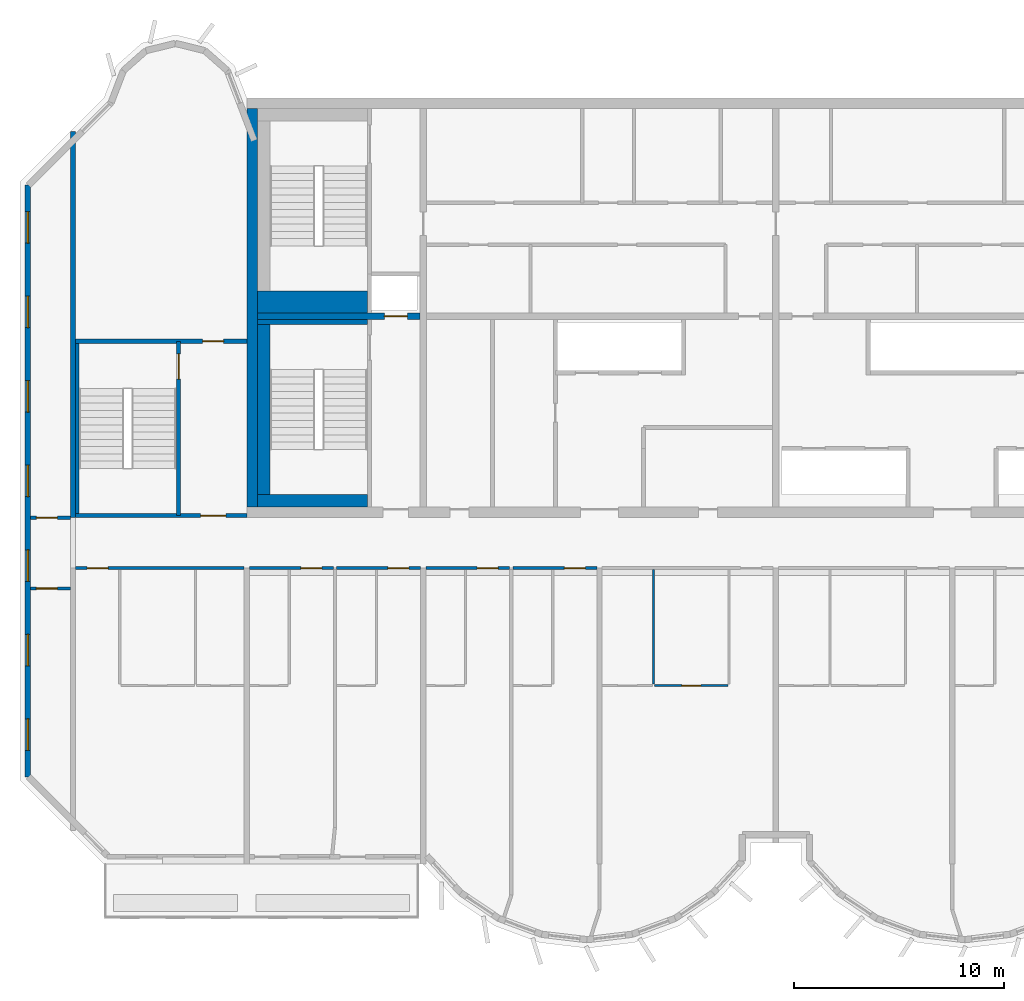
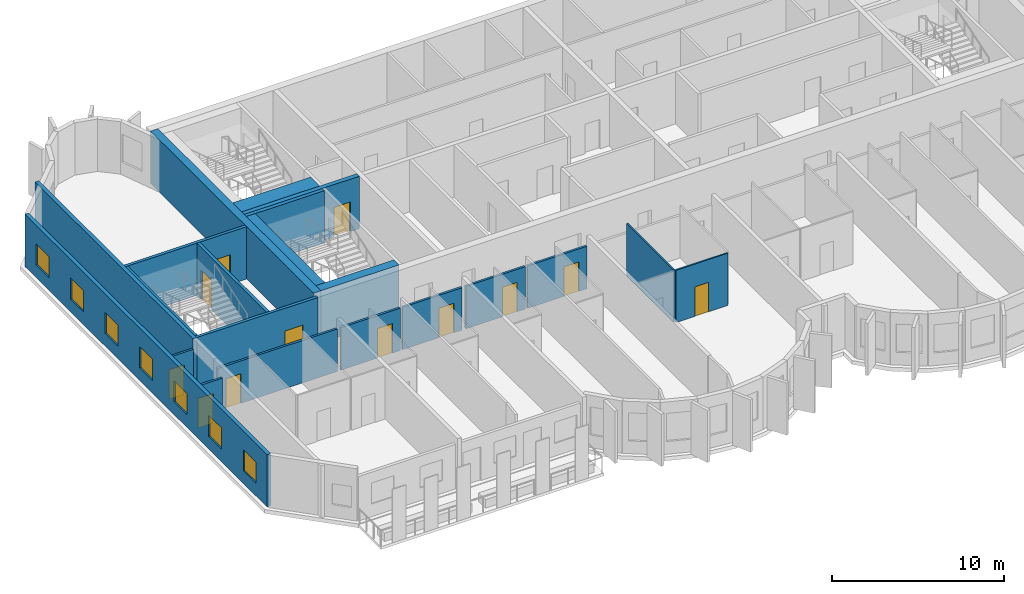
# One storey, part 3 of 12: 21 walls, 12 doors, 7 windows, 19 openings.
"""IFC4 building model written with IfcOpenShell, lengths in metres."""

from ifc_helpers import new_model, si_unit, direction, frame, frame_2d, origin, place, context, subcontext, project, spatial, rectangle, extrude, source, transform, mapped, material, layer, layer_set, type_object, element, fill, save


model = new_model("IFC4")

# Units and contexts
model_context = context("Model", 3, precision=1e-05, world=origin(), true_north=direction((0.0, 1.0)))
body_context = subcontext(model_context, "Body", "Model", "MODEL_VIEW")
ifc_project = project(units=[si_unit("LENGTHUNIT", "METRE"), si_unit("AREAUNIT", "SQUARE_METRE"), si_unit("VOLUMEUNIT", "CUBIC_METRE"), si_unit("PLANEANGLEUNIT", "RADIAN"), si_unit("MASSUNIT", "GRAM", prefix="KILO")], contexts=[model_context])

# Site, building, storey
site_placement = place(None, origin())
site = spatial("IfcSite", under=ifc_project, at=site_placement, CompositionType="ELEMENT")
building_placement = place(site_placement, origin())
building = spatial("IfcBuilding", under=site, at=building_placement, Name="Vanashikhar Sky Hotel", CompositionType="ELEMENT")
storey_placement = place(building_placement, frame((0.0, 0.0, 293.699951171875)))
storey = spatial("IfcBuildingStorey", under=building, at=storey_placement, Name="L70", CompositionType="ELEMENT", Elevation=293.699951171875)

# Wall
ifc_material_1 = material(Name="Concrete M50", Category="concrete")
ifc_layer_1 = layer(ifc_material_1, 0.5)
ifc_layer_set_1 = layer_set([ifc_layer_1], Name="RC core shell wall 500 Concrete M50")
wall_type_1 = type_object("IfcWallType", Name="RC core shell wall 500 Concrete M50", PredefinedType="SHEAR", material=ifc_layer_set_1)
shared_shape_1 = source(origin(), body_context, "Body", "SweptSolid", [
    extrude(rectangle(XDim=19.0, YDim=0.5, at=frame_2d((9.5, 0.0))), origin(), (0.0, 0.0, 1.0), 3.719970703125),
])
wall_1_placement = place(storey_placement, frame((25.449951171875, 22.5, 0.0), z_axis=(0.0, 0.0, 1.0), x_axis=(0.0, 1.0, 0.0)))
element("IfcWall", 1, at=wall_1_placement, inside=storey, type_object=wall_type_1, Name="KW-L70-KW", PredefinedType="SHEAR", context=body_context, shape_type="MappedRepresentation", body=[
    mapped(shared_shape_1, transform((0.0, 0.0, 0.0), scale=1.0)),
])

# Wall, opening, door
ifc_layer_2 = layer(ifc_material_1, 0.300048828125)
ifc_layer_set_2 = layer_set([ifc_layer_2], Name="RC core inner wall 300 Concrete M50")
wall_type_2 = type_object("IfcWallType", Name="RC core inner wall 300 Concrete M50", PredefinedType="SHEAR", material=ifc_layer_set_2)
shared_shape_2 = source(origin(), body_context, "Body", "SweptSolid", [
    extrude(rectangle(XDim=7.75, YDim=0.300048828125, at=frame_2d((3.875, 0.0))), origin(), (0.0, 0.0, 1.0), 3.719970703125),
])
wall_2_placement = place(storey_placement, frame((25.699951171875, 31.60009765625, 0.0), z_axis=(0.0, 0.0, 1.0), x_axis=(1.0, 0.0, 0.0)))
wall_2 = element("IfcWall", 2, at=wall_2_placement, inside=storey, type_object=wall_type_2, Name="KW-L70-KY1", PredefinedType="SHEAR", context=body_context, shape_type="MappedRepresentation", body=[
    mapped(shared_shape_2, transform((0.0, 0.0, 0.0), scale=1.0)),
])
shared_shape_3 = source(origin(), body_context, "Body", "SweptSolid", [
    extrude(rectangle(XDim=1.10009765625, YDim=2.10009765625, at=frame_2d((0.550048828125, 1.050048828125))), frame((0.0, 0.16015625, 0.0), z_axis=(0.0, -1.0, 0.0), x_axis=(1.0, 0.0, 0.0)), (0.0, 0.0, 1.0), 0.320068359375),
])
opening_1_placement = place(wall_2_placement, frame((6.050048828125, 0.0, 0.0)))
opening_1 = element("IfcOpeningElement", 3, at=opening_1_placement, cuts=wall_2, Name="Opening LD", PredefinedType="OPENING", context=body_context, shape_type="MappedRepresentation", body=[
    mapped(shared_shape_3, transform((0.0, 0.0, 0.0), scale=1.0)),
])
ifc_material_2 = material(Name="Stainless steel", Category="steel")
door_type_1 = type_object("IfcDoorType", Name="Lift landing door 1100", OperationType="NOTDEFINED", PredefinedType="DOOR", material=ifc_material_2)
shared_shape_4 = source(origin(), body_context, "Body", "SweptSolid", [
    extrude(rectangle(XDim=1.10009765625, YDim=2.10009765625, at=frame_2d((0.550048828125, 1.050048828125))), frame((0.0, 0.02490234375, 0.0), z_axis=(0.0, -1.0, 0.0), x_axis=(1.0, 0.0, 0.0)), (0.0, 0.0, 1.0), 0.050048828125),
])
door_1_placement = place(opening_1_placement, origin())
door_1 = element("IfcDoor", 4, at=door_1_placement, inside=storey, type_object=door_type_1, Name="Lift landing door 1100", OperationType="SLIDING_TO_LEFT", OverallHeight=2.10009765625, OverallWidth=1.10009765625, PredefinedType="DOOR", context=body_context, shape_type="MappedRepresentation", body=[
    mapped(shared_shape_4, transform((0.0, 0.0, 0.0), scale=1.0)),
])
fill(opening_1, door_1)

# Wall
ifc_layer_3 = layer(ifc_material_1, 0.25)
ifc_layer_set_3 = layer_set([ifc_layer_3], Name="RC shear wall 250 Concrete M50")
wall_type_3 = type_object("IfcWallType", Name="RC shear wall 250 Concrete M50", PredefinedType="SHEAR", material=ifc_layer_set_3)
shared_shape_5 = source(origin(), body_context, "Body", "SweptSolid", [
    extrude(rectangle(XDim=18.39990234375, YDim=0.25, at=frame_2d((9.199951171875, 0.0))), origin(), (0.0, 0.0, 1.0), 3.719970703125),
])
wall_3_placement = place(storey_placement, frame((16.925048828125, 22.0, 0.0), z_axis=(0.0, 0.0, 1.0), x_axis=(0.0, 1.0, 0.0)))
element("IfcWall", 5, at=wall_3_placement, inside=storey, type_object=wall_type_3, Name="CW-L70-XW03-2", PredefinedType="SHEAR", context=body_context, shape_type="MappedRepresentation", body=[
    mapped(shared_shape_5, transform((0.0, 0.0, 0.0), scale=1.0)),
])

# Wall, openings, windows
ifc_layer_4 = layer(ifc_material_1, 0.25)
ifc_layer_set_4 = layer_set([ifc_layer_4], Name="Rear and end board-marked wall 250")
wall_type_4 = type_object("IfcWallType", Name="Rear and end board-marked wall 250", PredefinedType="SOLIDWALL", material=ifc_layer_set_4)
shared_shape_6 = source(origin(), body_context, "Body", "SweptSolid", [
    extrude(rectangle(XDim=28.189453125, YDim=0.25, at=frame_2d((14.0947265625, 0.0))), origin(), (0.0, 0.0, 1.0), 3.719970703125),
])
wall_4_placement = place(storey_placement, frame((14.77490234375, 37.8447265625, 0.0), z_axis=(0.0, 0.0, 1.0), x_axis=(0.0, -1.0, 0.0)))
wall_4 = element("IfcWall", 6, at=wall_4_placement, inside=storey, type_object=wall_type_4, Name="End board-marked wall", PredefinedType="SOLIDWALL", context=body_context, shape_type="MappedRepresentation", body=[
    mapped(shared_shape_6, transform((0.0, 0.0, 0.0), scale=1.0)),
])
shared_shape_7 = source(origin(), body_context, "Body", "SweptSolid", [
    extrude(rectangle(XDim=1.5, YDim=1.5, at=frame_2d((0.75, 0.75))), frame((0.0, 0.135009765625, 0.0), z_axis=(0.0, -1.0, 0.0), x_axis=(1.0, 0.0, 0.0)), (0.0, 0.0, 1.0), 0.27001953125),
])
opening_2_placement = place(wall_4_placement, frame((1.263427734375, 0.0, 0.89990234375)))
opening_2 = element("IfcOpeningElement", 7, at=opening_2_placement, cuts=wall_4, Name="Opening WN-1", PredefinedType="OPENING", context=body_context, shape_type="MappedRepresentation", body=[
    mapped(shared_shape_7, transform((0.0, 0.0, 0.0), scale=1.0)),
])
opening_3_placement = place(wall_4_placement, frame((5.29052734375, 0.0, 0.89990234375)))
opening_3 = element("IfcOpeningElement", 8, at=opening_3_placement, cuts=wall_4, Name="Opening WN-1", PredefinedType="OPENING", context=body_context, shape_type="MappedRepresentation", body=[
    mapped(shared_shape_7, transform((0.0, 0.0, 0.0), scale=1.0)),
])
opening_4_placement = place(wall_4_placement, frame((9.317626953125, 0.0, 0.89990234375)))
opening_4 = element("IfcOpeningElement", 9, at=opening_4_placement, cuts=wall_4, Name="Opening WN-1", PredefinedType="OPENING", context=body_context, shape_type="MappedRepresentation", body=[
    mapped(shared_shape_7, transform((0.0, 0.0, 0.0), scale=1.0)),
])
opening_5_placement = place(wall_4_placement, frame((13.3447265625, 0.0, 0.89990234375)))
opening_5 = element("IfcOpeningElement", 10, at=opening_5_placement, cuts=wall_4, Name="Opening WN-1", PredefinedType="OPENING", context=body_context, shape_type="MappedRepresentation", body=[
    mapped(shared_shape_7, transform((0.0, 0.0, 0.0), scale=1.0)),
])
opening_6_placement = place(wall_4_placement, frame((17.371826171875, 0.0, 0.89990234375)))
opening_6 = element("IfcOpeningElement", 11, at=opening_6_placement, cuts=wall_4, Name="Opening WN-1", PredefinedType="OPENING", context=body_context, shape_type="MappedRepresentation", body=[
    mapped(shared_shape_7, transform((0.0, 0.0, 0.0), scale=1.0)),
])
opening_7_placement = place(wall_4_placement, frame((21.398681640625, 0.0, 0.89990234375)))
opening_7 = element("IfcOpeningElement", 12, at=opening_7_placement, cuts=wall_4, Name="Opening WN-1", PredefinedType="OPENING", context=body_context, shape_type="MappedRepresentation", body=[
    mapped(shared_shape_7, transform((0.0, 0.0, 0.0), scale=1.0)),
])
opening_8_placement = place(wall_4_placement, frame((25.42578125, 0.0, 0.89990234375)))
opening_8 = element("IfcOpeningElement", 13, at=opening_8_placement, cuts=wall_4, Name="Opening WN-1", PredefinedType="OPENING", context=body_context, shape_type="MappedRepresentation", body=[
    mapped(shared_shape_7, transform((0.0, 0.0, 0.0), scale=1.0)),
])
ifc_material_3 = material(Name="Glass", Category="glass")
window_type = type_object("IfcWindowType", Name="Window 1500 x 1500", PartitioningType="SINGLE_PANEL", PredefinedType="WINDOW", material=ifc_material_3)
shared_shape_8 = source(origin(), body_context, "Body", "SweptSolid", [
    extrude(rectangle(XDim=1.5, YDim=1.5, at=frame_2d((0.75, 0.75))), frame((0.0, 0.030029296875, 0.0), z_axis=(0.0, -1.0, 0.0), x_axis=(1.0, 0.0, 0.0)), (0.0, 0.0, 1.0), 0.06005859375),
])
window_1_placement = place(opening_2_placement, origin())
window_1 = element("IfcWindow", 14, at=window_1_placement, inside=storey, type_object=window_type, Name="Window WN-1", OverallHeight=1.5, OverallWidth=1.5, PartitioningType="SINGLE_PANEL", PredefinedType="WINDOW", context=body_context, shape_type="MappedRepresentation", body=[
    mapped(shared_shape_8, transform((0.0, 0.0, 0.0), scale=1.0)),
])
fill(opening_2, window_1)
window_2_placement = place(opening_3_placement, origin())
window_2 = element("IfcWindow", 15, at=window_2_placement, inside=storey, type_object=window_type, Name="Window WN-1", OverallHeight=1.5, OverallWidth=1.5, PartitioningType="SINGLE_PANEL", PredefinedType="WINDOW", context=body_context, shape_type="MappedRepresentation", body=[
    mapped(shared_shape_8, transform((0.0, 0.0, 0.0), scale=1.0)),
])
fill(opening_3, window_2)
window_3_placement = place(opening_4_placement, origin())
window_3 = element("IfcWindow", 16, at=window_3_placement, inside=storey, type_object=window_type, Name="Window WN-1", OverallHeight=1.5, OverallWidth=1.5, PartitioningType="SINGLE_PANEL", PredefinedType="WINDOW", context=body_context, shape_type="MappedRepresentation", body=[
    mapped(shared_shape_8, transform((0.0, 0.0, 0.0), scale=1.0)),
])
fill(opening_4, window_3)
window_4_placement = place(opening_5_placement, origin())
window_4 = element("IfcWindow", 17, at=window_4_placement, inside=storey, type_object=window_type, Name="Window WN-1", OverallHeight=1.5, OverallWidth=1.5, PartitioningType="SINGLE_PANEL", PredefinedType="WINDOW", context=body_context, shape_type="MappedRepresentation", body=[
    mapped(shared_shape_8, transform((0.0, 0.0, 0.0), scale=1.0)),
])
fill(opening_5, window_4)
window_5_placement = place(opening_6_placement, origin())
window_5 = element("IfcWindow", 18, at=window_5_placement, inside=storey, type_object=window_type, Name="Window WN-1", OverallHeight=1.5, OverallWidth=1.5, PartitioningType="SINGLE_PANEL", PredefinedType="WINDOW", context=body_context, shape_type="MappedRepresentation", body=[
    mapped(shared_shape_8, transform((0.0, 0.0, 0.0), scale=1.0)),
])
fill(opening_6, window_5)
window_6_placement = place(opening_7_placement, origin())
window_6 = element("IfcWindow", 19, at=window_6_placement, inside=storey, type_object=window_type, Name="Window WN-1", OverallHeight=1.5, OverallWidth=1.5, PartitioningType="SINGLE_PANEL", PredefinedType="WINDOW", context=body_context, shape_type="MappedRepresentation", body=[
    mapped(shared_shape_8, transform((0.0, 0.0, 0.0), scale=1.0)),
])
fill(opening_7, window_6)
window_7_placement = place(opening_8_placement, origin())
window_7 = element("IfcWindow", 20, at=window_7_placement, inside=storey, type_object=window_type, Name="Window WN-1", OverallHeight=1.5, OverallWidth=1.5, PartitioningType="SINGLE_PANEL", PredefinedType="WINDOW", context=body_context, shape_type="MappedRepresentation", body=[
    mapped(shared_shape_8, transform((0.0, 0.0, 0.0), scale=1.0)),
])
fill(opening_8, window_7)

# Wall, opening, door
ifc_layer_5 = layer(ifc_material_1, 0.199951171875)
ifc_layer_set_5 = layer_set([ifc_layer_5], Name="Stair wall 200")
wall_type_5 = type_object("IfcWallType", Name="Stair wall 200", PredefinedType="SOLIDWALL", material=ifc_layer_set_5)
shared_shape_9 = source(origin(), body_context, "Body", "SweptSolid", [
    extrude(rectangle(XDim=8.2998046875, YDim=0.199951171875, at=frame_2d((4.14990234375, 0.0))), origin(), (0.0, 0.0, 1.0), 3.719970703125),
])
wall_5_placement = place(storey_placement, frame((21.949951171875, 22.10009765625, 0.0), z_axis=(0.0, 0.0, 1.0), x_axis=(0.0, 1.0, 0.0)))
wall_5 = element("IfcWall", 21, at=wall_5_placement, inside=storey, type_object=wall_type_5, Name="Stair wall 200", PredefinedType="SOLIDWALL", context=body_context, shape_type="MappedRepresentation", body=[
    mapped(shared_shape_9, transform((0.0, 0.0, 0.0), scale=1.0)),
])
shared_shape_10 = source(origin(), body_context, "Body", "SweptSolid", [
    extrude(rectangle(XDim=1.199951171875, YDim=2.10009765625, at=frame_2d((0.60009765625, 1.050048828125))), frame((0.0, 0.10986328125, 0.0), z_axis=(0.0, -1.0, 0.0), x_axis=(1.0, 0.0, 0.0)), (0.0, 0.0, 1.0), 0.219970703125),
])
opening_9_placement = place(wall_5_placement, frame((6.5, 0.0, 0.0)))
opening_9 = element("IfcOpeningElement", 22, at=opening_9_placement, cuts=wall_5, Name="Opening DC-1", PredefinedType="OPENING", context=body_context, shape_type="MappedRepresentation", body=[
    mapped(shared_shape_10, transform((0.0, 0.0, 0.0), scale=1.0)),
])
ifc_material_4 = material(Name="Steel", Category="steel")
door_type_2 = type_object("IfcDoorType", Name="Stair door 1200 FD120", OperationType="NOTDEFINED", PredefinedType="DOOR", material=ifc_material_4)
shared_shape_11 = source(origin(), body_context, "Body", "SweptSolid", [
    extrude(rectangle(XDim=1.199951171875, YDim=2.10009765625, at=frame_2d((0.60009765625, 1.050048828125))), frame((0.0, 0.02490234375, 0.0), z_axis=(0.0, -1.0, 0.0), x_axis=(1.0, 0.0, 0.0)), (0.0, 0.0, 1.0), 0.050048828125),
])
door_2_placement = place(opening_9_placement, origin())
door_2 = element("IfcDoor", 23, at=door_2_placement, inside=storey, type_object=door_type_2, Name="Stair door 1200 FD120", OperationType="SINGLE_SWING_RIGHT", OverallHeight=2.10009765625, OverallWidth=1.199951171875, PredefinedType="DOOR", context=body_context, shape_type="MappedRepresentation", body=[
    mapped(shared_shape_11, transform((0.0, 0.0, 0.0), scale=1.0)),
])
fill(opening_9, door_2)

shared_shape_12 = source(origin(), body_context, "Body", "SweptSolid", [
    extrude(rectangle(XDim=8.14990234375, YDim=0.199951171875, at=frame_2d((4.074951171875, 0.0))), origin(), (0.0, 0.0, 1.0), 3.719970703125),
])
wall_6_placement = place(storey_placement, frame((17.050048828125, 22.10009765625, 0.0), z_axis=(0.0, 0.0, 1.0), x_axis=(1.0, 0.0, 0.0)))
wall_6 = element("IfcWall", 24, at=wall_6_placement, inside=storey, type_object=wall_type_5, Name="Stair wall 200", PredefinedType="SOLIDWALL", context=body_context, shape_type="MappedRepresentation", body=[
    mapped(shared_shape_12, transform((0.0, 0.0, 0.0), scale=1.0)),
])
opening_10_placement = place(wall_6_placement, frame((5.949951171875, 0.0, 0.0)))
opening_10 = element("IfcOpeningElement", 25, at=opening_10_placement, cuts=wall_6, Name="Opening DC-2", PredefinedType="OPENING", context=body_context, shape_type="MappedRepresentation", body=[
    mapped(shared_shape_10, transform((0.0, 0.0, 0.0), scale=1.0)),
])
door_type_3 = type_object("IfcDoorType", Name="Firefighting lobby door 1200 FD120", OperationType="NOTDEFINED", PredefinedType="DOOR", material=ifc_material_4)
door_3_placement = place(opening_10_placement, origin())
door_3 = element("IfcDoor", 26, at=door_3_placement, inside=storey, type_object=door_type_3, Name="Firefighting lobby door 1200 FD120", OperationType="SINGLE_SWING_RIGHT", OverallHeight=2.10009765625, OverallWidth=1.199951171875, PredefinedType="DOOR", context=body_context, shape_type="MappedRepresentation", body=[
    mapped(shared_shape_11, transform((0.0, 0.0, 0.0), scale=1.0)),
])
fill(opening_10, door_3)

wall_7_placement = place(storey_placement, frame((17.050048828125, 30.39990234375, 0.0), z_axis=(0.0, 0.0, 1.0), x_axis=(1.0, 0.0, 0.0)))
wall_7 = element("IfcWall", 27, at=wall_7_placement, inside=storey, type_object=wall_type_5, Name="Stair wall 200", PredefinedType="SOLIDWALL", context=body_context, shape_type="MappedRepresentation", body=[
    mapped(shared_shape_12, transform((0.0, 0.0, 0.0), scale=1.0)),
])
shared_shape_13 = source(origin(), body_context, "Body", "SweptSolid", [
    extrude(rectangle(XDim=1.0, YDim=2.10009765625, at=frame_2d((0.5, 1.050048828125))), frame((0.0, 0.10986328125, 0.0), z_axis=(0.0, -1.0, 0.0), x_axis=(1.0, 0.0, 0.0)), (0.0, 0.0, 1.0), 0.219970703125),
])
opening_11_placement = place(wall_7_placement, frame((6.050048828125, 0.0, 0.0)))
opening_11 = element("IfcOpeningElement", 28, at=opening_11_placement, cuts=wall_7, Name="Opening DC-6", PredefinedType="OPENING", context=body_context, shape_type="MappedRepresentation", body=[
    mapped(shared_shape_13, transform((0.0, 0.0, 0.0), scale=1.0)),
])
door_type_4 = type_object("IfcDoorType", Name="Pocket door 1000 FD60", OperationType="NOTDEFINED", PredefinedType="DOOR", material=ifc_material_4)
shared_shape_14 = source(origin(), body_context, "Body", "SweptSolid", [
    extrude(rectangle(XDim=1.0, YDim=2.10009765625, at=frame_2d((0.5, 1.050048828125))), frame((0.0, 0.02490234375, 0.0), z_axis=(0.0, -1.0, 0.0), x_axis=(1.0, 0.0, 0.0)), (0.0, 0.0, 1.0), 0.050048828125),
])
door_4_placement = place(opening_11_placement, origin())
door_4 = element("IfcDoor", 29, at=door_4_placement, inside=storey, type_object=door_type_4, Name="Pocket door 1000 FD60", OperationType="SINGLE_SWING_RIGHT", OverallHeight=2.10009765625, OverallWidth=1.0, PredefinedType="DOOR", context=body_context, shape_type="MappedRepresentation", body=[
    mapped(shared_shape_14, transform((0.0, 0.0, 0.0), scale=1.0)),
])
fill(opening_11, door_4)

# Walls
ifc_layer_6 = layer(ifc_material_1, 0.60009765625)
ifc_layer_set_6 = layer_set([ifc_layer_6], Name="Stair infill wall 600")
wall_type_6 = type_object("IfcWallType", Name="Stair infill wall 600", PredefinedType="SOLIDWALL", material=ifc_layer_set_6)
shared_shape_15 = source(origin(), body_context, "Body", "SweptSolid", [
    extrude(rectangle(XDim=5.25, YDim=0.60009765625, at=frame_2d((2.625, 0.0))), origin(), (0.0, 0.0, 1.0), 3.719970703125),
])
wall_8_placement = place(storey_placement, frame((25.699951171875, 22.800048828125, 0.0), z_axis=(0.0, 0.0, 1.0), x_axis=(1.0, 0.0, 0.0)))
element("IfcWall", 30, at=wall_8_placement, inside=storey, type_object=wall_type_6, Name="Stair infill wall 600", PredefinedType="SOLIDWALL", context=body_context, shape_type="MappedRepresentation", body=[
    mapped(shared_shape_15, transform((0.0, 0.0, 0.0), scale=1.0)),
])
ifc_layer_7 = layer(ifc_material_1, 0.25)
ifc_layer_set_7 = layer_set([ifc_layer_7], Name="Stair infill wall 250")
wall_type_7 = type_object("IfcWallType", Name="Stair infill wall 250", PredefinedType="SOLIDWALL", material=ifc_layer_set_7)
shared_shape_16 = source(origin(), body_context, "Body", "SweptSolid", [
    extrude(rectangle(XDim=5.25, YDim=0.25, at=frame_2d((2.625, 0.0))), origin(), (0.0, 0.0, 1.0), 3.719970703125),
])
wall_9_placement = place(storey_placement, frame((25.699951171875, 31.324951171875, 0.0), z_axis=(0.0, 0.0, 1.0), x_axis=(1.0, 0.0, 0.0)))
element("IfcWall", 31, at=wall_9_placement, inside=storey, type_object=wall_type_7, Name="Stair infill wall 250", PredefinedType="SOLIDWALL", context=body_context, shape_type="MappedRepresentation", body=[
    mapped(shared_shape_16, transform((0.0, 0.0, 0.0), scale=1.0)),
])
shared_shape_17 = source(origin(), body_context, "Body", "SweptSolid", [
    extrude(rectangle(XDim=8.099853515625, YDim=0.60009765625, at=frame_2d((4.0498046875, 0.0))), origin(), (0.0, 0.0, 1.0), 3.719970703125),
])
wall_10_placement = place(storey_placement, frame((26.0, 23.10009765625, 0.0), z_axis=(0.0, 0.0, 1.0), x_axis=(0.0, 1.0, 0.0)))
element("IfcWall", 32, at=wall_10_placement, inside=storey, type_object=wall_type_6, Name="Stair infill wall 600", PredefinedType="SOLIDWALL", context=body_context, shape_type="MappedRepresentation", body=[
    mapped(shared_shape_17, transform((0.0, 0.0, 0.0), scale=1.0)),
])
ifc_layer_8 = layer(ifc_material_1, 0.14990234375)
ifc_layer_set_8 = layer_set([ifc_layer_8], Name="Stair infill wall 150")
wall_type_8 = type_object("IfcWallType", Name="Stair infill wall 150", PredefinedType="SOLIDWALL", material=ifc_layer_set_8)
shared_shape_18 = source(origin(), body_context, "Body", "SweptSolid", [
    extrude(rectangle(XDim=8.10009765625, YDim=0.14990234375, at=frame_2d((4.050048828125, 0.0))), origin(), (0.0, 0.0, 1.0), 3.719970703125),
])
wall_11_placement = place(storey_placement, frame((17.125, 22.199951171875, 0.0), z_axis=(0.0, 0.0, 1.0), x_axis=(0.0, 1.0, 0.0)))
element("IfcWall", 33, at=wall_11_placement, inside=storey, type_object=wall_type_8, Name="Stair infill wall 150", PredefinedType="SOLIDWALL", context=body_context, shape_type="MappedRepresentation", body=[
    mapped(shared_shape_18, transform((0.0, 0.0, 0.0), scale=1.0)),
])
ifc_layer_9 = layer(ifc_material_1, 1.050048828125)
ifc_layer_set_9 = layer_set([ifc_layer_9], Name="Stair infill wall 1050")
wall_type_9 = type_object("IfcWallType", Name="Stair infill wall 1050", PredefinedType="SOLIDWALL", material=ifc_layer_set_9)
shared_shape_19 = source(origin(), body_context, "Body", "SweptSolid", [
    extrude(rectangle(XDim=5.25, YDim=1.050048828125, at=frame_2d((2.625, 0.0))), origin(), (0.0, 0.0, 1.0), 3.719970703125),
])
wall_12_placement = place(storey_placement, frame((25.699951171875, 32.27490234375, 0.0), z_axis=(0.0, 0.0, 1.0), x_axis=(1.0, 0.0, 0.0)))
element("IfcWall", 34, at=wall_12_placement, inside=storey, type_object=wall_type_9, Name="Stair infill wall 1050", PredefinedType="SOLIDWALL", context=body_context, shape_type="MappedRepresentation", body=[
    mapped(shared_shape_19, transform((0.0, 0.0, 0.0), scale=1.0)),
])

# Wall, opening, door
ifc_material_5 = material(Name="Gypsum plasterboard partition")
ifc_layer_10 = layer(ifc_material_5, 0.10009765625)
ifc_layer_set_10 = layer_set([ifc_layer_10], Name="Wet room partition 100")
wall_type_10 = type_object("IfcWallType", Name="Wet room partition 100", PredefinedType="PARTITIONING", material=ifc_layer_set_10)
shared_shape_20 = source(origin(), body_context, "Body", "SweptSolid", [
    extrude(rectangle(XDim=3.5, YDim=0.10009765625, at=frame_2d((1.75, 0.0))), origin(), (0.0, 0.0, 1.0), 3.719970703125),
])
wall_13_placement = place(storey_placement, frame((44.625, 14.0, 0.0), z_axis=(0.0, 0.0, 1.0), x_axis=(1.0, 0.0, 0.0)))
wall_13 = element("IfcWall", 35, at=wall_13_placement, inside=storey, type_object=wall_type_10, Name="W-L70-PW022", PredefinedType="PARTITIONING", context=body_context, shape_type="MappedRepresentation", body=[
    mapped(shared_shape_20, transform((0.0, 0.0, 0.0), scale=1.0)),
])
shared_shape_21 = source(origin(), body_context, "Body", "SweptSolid", [
    extrude(rectangle(XDim=0.89990234375, YDim=2.10009765625, at=frame_2d((0.449951171875, 1.050048828125))), frame((0.0, 0.06005859375, 0.0), z_axis=(0.0, -1.0, 0.0), x_axis=(1.0, 0.0, 0.0)), (0.0, 0.0, 1.0), 0.1201171875),
])
opening_12_placement = place(wall_13_placement, frame((1.300048828125, 0.0, 0.0)))
opening_12 = element("IfcOpeningElement", 36, at=opening_12_placement, cuts=wall_13, Name="Opening D-02", PredefinedType="OPENING", context=body_context, shape_type="MappedRepresentation", body=[
    mapped(shared_shape_21, transform((0.0, 0.0, 0.0), scale=1.0)),
])
ifc_material_6 = material(Name="Timber door", Category="wood")
door_type_5 = type_object("IfcDoorType", Name="Internal door 900", OperationType="NOTDEFINED", PredefinedType="DOOR", material=ifc_material_6)
shared_shape_22 = source(origin(), body_context, "Body", "SweptSolid", [
    extrude(rectangle(XDim=0.89990234375, YDim=2.10009765625, at=frame_2d((0.449951171875, 1.050048828125))), frame((0.0, 0.02490234375, 0.0), z_axis=(0.0, -1.0, 0.0), x_axis=(1.0, 0.0, 0.0)), (0.0, 0.0, 1.0), 0.050048828125),
])
door_5_placement = place(opening_12_placement, origin())
door_5 = element("IfcDoor", 37, at=door_5_placement, inside=storey, type_object=door_type_5, Name="D-L70-012", OperationType="SINGLE_SWING_RIGHT", OverallHeight=2.10009765625, OverallWidth=0.89990234375, PredefinedType="DOOR", context=body_context, shape_type="MappedRepresentation", body=[
    mapped(shared_shape_22, transform((0.0, 0.0, 0.0), scale=1.0)),
])
fill(opening_12, door_5)

ifc_layer_11 = layer(ifc_material_5, 0.14990234375)
ifc_layer_set_11 = layer_set([ifc_layer_11], Name="Corridor and demising partition 150")
wall_type_11 = type_object("IfcWallType", Name="Corridor and demising partition 150", PredefinedType="PARTITIONING", material=ifc_layer_set_11)
shared_shape_23 = source(origin(), body_context, "Body", "SweptSolid", [
    extrude(rectangle(XDim=8.02490234375, YDim=0.14990234375, at=frame_2d((4.012451171875, 0.0))), origin(), (0.0, 0.0, 1.0), 3.02001953125),
])
wall_14_placement = place(storey_placement, frame((17.050048828125, 19.60009765625, 0.0), z_axis=(0.0, 0.0, 1.0), x_axis=(1.0, 0.0, 0.0)))
wall_14 = element("IfcWall", 38, at=wall_14_placement, inside=storey, type_object=wall_type_11, Name="W-L70-PW005", PredefinedType="PARTITIONING", context=body_context, shape_type="MappedRepresentation", body=[
    mapped(shared_shape_23, transform((0.0, 0.0, 0.0), scale=1.0)),
])
shared_shape_24 = source(origin(), body_context, "Body", "SweptSolid", [
    extrude(rectangle(XDim=1.0, YDim=2.10009765625, at=frame_2d((0.5, 1.050048828125))), frame((0.0, 0.0849609375, 0.0), z_axis=(0.0, -1.0, 0.0), x_axis=(1.0, 0.0, 0.0)), (0.0, 0.0, 1.0), 0.169921875),
])
opening_13_placement = place(wall_14_placement, frame((0.550048828125, 0.0, 0.0)))
opening_13 = element("IfcOpeningElement", 39, at=opening_13_placement, cuts=wall_14, Name="Opening D-01", PredefinedType="OPENING", context=body_context, shape_type="MappedRepresentation", body=[
    mapped(shared_shape_24, transform((0.0, 0.0, 0.0), scale=1.0)),
])
ifc_material_7 = material(Name="Timber fire door", Category="wood")
door_type_6 = type_object("IfcDoorType", Name="Guest entry door 1000 FD30S", OperationType="NOTDEFINED", PredefinedType="DOOR", material=ifc_material_7)
door_6_placement = place(opening_13_placement, origin())
door_6 = element("IfcDoor", 40, at=door_6_placement, inside=storey, type_object=door_type_6, Name="D-L70-003", OperationType="SINGLE_SWING_LEFT", OverallHeight=2.10009765625, OverallWidth=1.0, PredefinedType="DOOR", context=body_context, shape_type="MappedRepresentation", body=[
    mapped(shared_shape_14, transform((0.0, 0.0, 0.0), scale=1.0)),
])
fill(opening_13, door_6)

shared_shape_25 = source(origin(), body_context, "Body", "SweptSolid", [
    extrude(rectangle(XDim=1.900146484375, YDim=0.14990234375, at=frame_2d((0.9501953125, 0.0))), origin(), (0.0, 0.0, 1.0), 3.02001953125),
])
wall_15_placement = place(storey_placement, frame((14.89990234375, 22.0, 0.0), z_axis=(0.0, 0.0, 1.0), x_axis=(1.0, 0.0, 0.0)))
wall_15 = element("IfcWall", 41, at=wall_15_placement, inside=storey, type_object=wall_type_11, Name="W-L70-PW049", PredefinedType="PARTITIONING", context=body_context, shape_type="MappedRepresentation", body=[
    mapped(shared_shape_25, transform((0.0, 0.0, 0.0), scale=1.0)),
])
opening_14_placement = place(wall_15_placement, frame((0.27490234375, 0.0, 0.0)))
opening_14 = element("IfcOpeningElement", 42, at=opening_14_placement, cuts=wall_15, Name="Opening D-01", PredefinedType="OPENING", context=body_context, shape_type="MappedRepresentation", body=[
    mapped(shared_shape_24, transform((0.0, 0.0, 0.0), scale=1.0)),
])
door_7_placement = place(opening_14_placement, origin())
door_7 = element("IfcDoor", 43, at=door_7_placement, inside=storey, type_object=door_type_6, Name="D-L70-028", OperationType="SINGLE_SWING_LEFT", OverallHeight=2.10009765625, OverallWidth=1.0, PredefinedType="DOOR", context=body_context, shape_type="MappedRepresentation", body=[
    mapped(shared_shape_14, transform((0.0, 0.0, 0.0), scale=1.0)),
])
fill(opening_14, door_7)

wall_16_placement = place(storey_placement, frame((14.89990234375, 18.6279296875, 0.0), z_axis=(0.0, 0.0, 1.0), x_axis=(1.0, 0.0, 0.0)))
wall_16 = element("IfcWall", 44, at=wall_16_placement, inside=storey, type_object=wall_type_11, Name="W-L70-PW051", PredefinedType="PARTITIONING", context=body_context, shape_type="MappedRepresentation", body=[
    mapped(shared_shape_25, transform((0.0, 0.0, 0.0), scale=1.0)),
])
opening_15_placement = place(wall_16_placement, frame((0.27490234375, 0.0, 0.0)))
opening_15 = element("IfcOpeningElement", 45, at=opening_15_placement, cuts=wall_16, Name="Opening D-01", PredefinedType="OPENING", context=body_context, shape_type="MappedRepresentation", body=[
    mapped(shared_shape_24, transform((0.0, 0.0, 0.0), scale=1.0)),
])
door_8_placement = place(opening_15_placement, origin())
door_8 = element("IfcDoor", 46, at=door_8_placement, inside=storey, type_object=door_type_6, Name="D-L70-030", OperationType="SINGLE_SWING_LEFT", OverallHeight=2.10009765625, OverallWidth=1.0, PredefinedType="DOOR", context=body_context, shape_type="MappedRepresentation", body=[
    mapped(shared_shape_14, transform((0.0, 0.0, 0.0), scale=1.0)),
])
fill(opening_15, door_8)

# Wall
shared_shape_26 = source(origin(), body_context, "Body", "SweptSolid", [
    extrude(rectangle(XDim=5.449951171875, YDim=0.10009765625, at=frame_2d((2.72509765625, 0.0))), origin(), (0.0, 0.0, 1.0), 3.719970703125),
])
wall_17_placement = place(storey_placement, frame((44.574951171875, 14.074951171875, 0.0), z_axis=(0.0, 0.0, 1.0), x_axis=(0.0, 1.0, 0.0)))
element("IfcWall", 47, at=wall_17_placement, inside=storey, type_object=wall_type_10, Name="W-L70-PW021", PredefinedType="PARTITIONING", context=body_context, shape_type="MappedRepresentation", body=[
    mapped(shared_shape_26, transform((0.0, 0.0, 0.0), scale=1.0)),
])

# Wall, opening, door
shared_shape_27 = source(origin(), body_context, "Body", "SweptSolid", [
    extrude(rectangle(XDim=4.0, YDim=0.14990234375, at=frame_2d((2.0, 0.0))), origin(), (0.0, 0.0, 1.0), 3.02001953125),
])
wall_18_placement = place(storey_placement, frame((25.324951171875, 19.60009765625, 0.0), z_axis=(0.0, 0.0, 1.0), x_axis=(1.0, 0.0, 0.0)))
wall_18 = element("IfcWall", 48, at=wall_18_placement, inside=storey, type_object=wall_type_11, Name="W-L70-PW008", PredefinedType="PARTITIONING", context=body_context, shape_type="MappedRepresentation", body=[
    mapped(shared_shape_27, transform((0.0, 0.0, 0.0), scale=1.0)),
])
opening_16_placement = place(wall_18_placement, frame((2.449951171875, 0.0, 0.0)))
opening_16 = element("IfcOpeningElement", 49, at=opening_16_placement, cuts=wall_18, Name="Opening D-01", PredefinedType="OPENING", context=body_context, shape_type="MappedRepresentation", body=[
    mapped(shared_shape_24, transform((0.0, 0.0, 0.0), scale=1.0)),
])
door_9_placement = place(opening_16_placement, origin())
door_9 = element("IfcDoor", 50, at=door_9_placement, inside=storey, type_object=door_type_6, Name="D-L70-005", OperationType="SINGLE_SWING_RIGHT", OverallHeight=2.10009765625, OverallWidth=1.0, PredefinedType="DOOR", context=body_context, shape_type="MappedRepresentation", body=[
    mapped(shared_shape_14, transform((0.0, 0.0, 0.0), scale=1.0)),
])
fill(opening_16, door_9)

wall_19_placement = place(storey_placement, frame((29.47509765625, 19.60009765625, 0.0), z_axis=(0.0, 0.0, 1.0), x_axis=(1.0, 0.0, 0.0)))
wall_19 = element("IfcWall", 51, at=wall_19_placement, inside=storey, type_object=wall_type_11, Name="W-L70-PW011", PredefinedType="PARTITIONING", context=body_context, shape_type="MappedRepresentation", body=[
    mapped(shared_shape_27, transform((0.0, 0.0, 0.0), scale=1.0)),
])
opening_17_placement = place(wall_19_placement, frame((2.449951171875, 0.0, 0.0)))
opening_17 = element("IfcOpeningElement", 52, at=opening_17_placement, cuts=wall_19, Name="Opening D-01", PredefinedType="OPENING", context=body_context, shape_type="MappedRepresentation", body=[
    mapped(shared_shape_24, transform((0.0, 0.0, 0.0), scale=1.0)),
])
door_10_placement = place(opening_17_placement, origin())
door_10 = element("IfcDoor", 53, at=door_10_placement, inside=storey, type_object=door_type_6, Name="D-L70-007", OperationType="SINGLE_SWING_RIGHT", OverallHeight=2.10009765625, OverallWidth=1.0, PredefinedType="DOOR", context=body_context, shape_type="MappedRepresentation", body=[
    mapped(shared_shape_14, transform((0.0, 0.0, 0.0), scale=1.0)),
])
fill(opening_17, door_10)

wall_20_placement = place(storey_placement, frame((33.72509765625, 19.60009765625, 0.0), z_axis=(0.0, 0.0, 1.0), x_axis=(1.0, 0.0, 0.0)))
wall_20 = element("IfcWall", 54, at=wall_20_placement, inside=storey, type_object=wall_type_11, Name="W-L70-PW015", PredefinedType="PARTITIONING", context=body_context, shape_type="MappedRepresentation", body=[
    mapped(shared_shape_27, transform((0.0, 0.0, 0.0), scale=1.0)),
])
opening_18_placement = place(wall_20_placement, frame((2.449951171875, 0.0, 0.0)))
opening_18 = element("IfcOpeningElement", 55, at=opening_18_placement, cuts=wall_20, Name="Opening D-01", PredefinedType="OPENING", context=body_context, shape_type="MappedRepresentation", body=[
    mapped(shared_shape_24, transform((0.0, 0.0, 0.0), scale=1.0)),
])
door_11_placement = place(opening_18_placement, origin())
door_11 = element("IfcDoor", 56, at=door_11_placement, inside=storey, type_object=door_type_6, Name="D-L70-009", OperationType="SINGLE_SWING_RIGHT", OverallHeight=2.10009765625, OverallWidth=1.0, PredefinedType="DOOR", context=body_context, shape_type="MappedRepresentation", body=[
    mapped(shared_shape_14, transform((0.0, 0.0, 0.0), scale=1.0)),
])
fill(opening_18, door_11)

wall_21_placement = place(storey_placement, frame((37.875, 19.60009765625, 0.0), z_axis=(0.0, 0.0, 1.0), x_axis=(1.0, 0.0, 0.0)))
wall_21 = element("IfcWall", 57, at=wall_21_placement, inside=storey, type_object=wall_type_11, Name="W-L70-PW018", PredefinedType="PARTITIONING", context=body_context, shape_type="MappedRepresentation", body=[
    mapped(shared_shape_27, transform((0.0, 0.0, 0.0), scale=1.0)),
])
opening_19_placement = place(wall_21_placement, frame((2.449951171875, 0.0, 0.0)))
opening_19 = element("IfcOpeningElement", 58, at=opening_19_placement, cuts=wall_21, Name="Opening D-01", PredefinedType="OPENING", context=body_context, shape_type="MappedRepresentation", body=[
    mapped(shared_shape_24, transform((0.0, 0.0, 0.0), scale=1.0)),
])
door_12_placement = place(opening_19_placement, origin())
door_12 = element("IfcDoor", 59, at=door_12_placement, inside=storey, type_object=door_type_6, Name="D-L70-011", OperationType="SINGLE_SWING_RIGHT", OverallHeight=2.10009765625, OverallWidth=1.0, PredefinedType="DOOR", context=body_context, shape_type="MappedRepresentation", body=[
    mapped(shared_shape_14, transform((0.0, 0.0, 0.0), scale=1.0)),
])
fill(opening_19, door_12)

save(model, "model.ifc")
